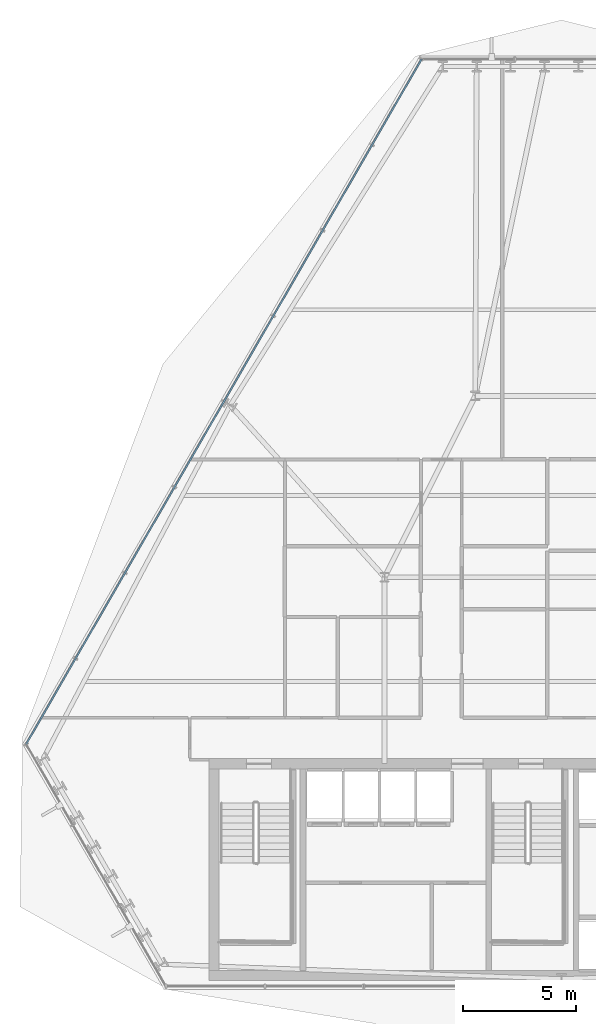
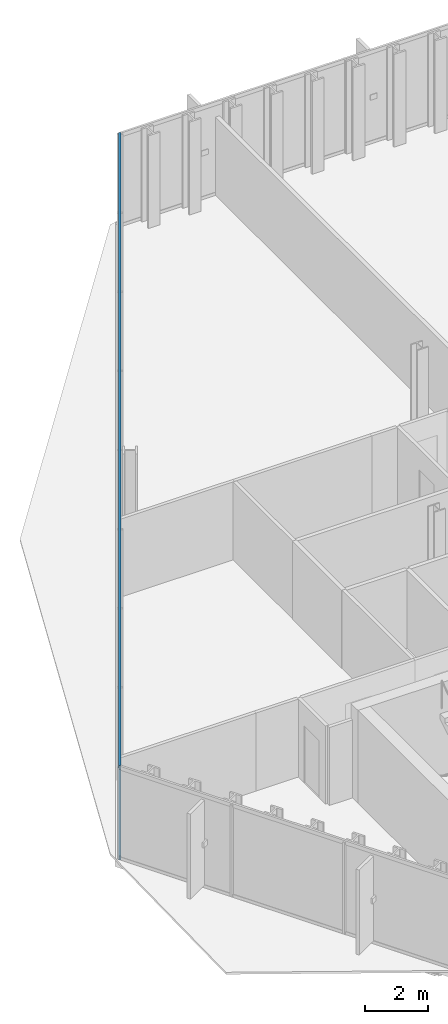
# One storey, part 13 of 36: 2 members, 1 element without a shape of its own.
"""IFC4 building model written with IfcOpenShell, lengths in metres."""

from ifc_helpers import new_model, si_unit, direction, frame, origin, origin_2d, place, context, subcontext, project, spatial, hollow_rectangle, extrude, material, layer, layer_set, material_profile, profile_set, type_object, element, aggregate, save


model = new_model("IFC4")

# Units and contexts
model_context = context("Model", 3, precision=1e-05, world=origin(), true_north=direction((0.0, 1.0)))
body_context = subcontext(model_context, "Body", "Model", "MODEL_VIEW")
ifc_project = project(units=[si_unit("LENGTHUNIT", "METRE"), si_unit("AREAUNIT", "SQUARE_METRE"), si_unit("VOLUMEUNIT", "CUBIC_METRE"), si_unit("PLANEANGLEUNIT", "RADIAN"), si_unit("MASSUNIT", "GRAM", prefix="KILO")], contexts=[model_context])

# Site, building, storey
site_placement = place(None, origin())
site = spatial("IfcSite", under=ifc_project, at=site_placement, CompositionType="ELEMENT")
building_placement = place(site_placement, origin())
building = spatial("IfcBuilding", under=site, at=building_placement, Name="Ndaravel Arena Tower", CompositionType="ELEMENT")
storey_placement = place(building_placement, frame((0.0, 0.0, 127.0)))
storey = spatial("IfcBuildingStorey", under=building, at=storey_placement, Name="L29", CompositionType="ELEMENT", Elevation=127.0)

# Curtain wall, members
ifc_material_1 = material(Name="Aluminium", Category="aluminium")
ifc_layer = layer(ifc_material_1, 0.179931640625)
ifc_layer_set = layer_set([ifc_layer], Name="Aluminium")
curtain_wall_type = type_object("IfcCurtainWallType", Name="CW-SYS-03", PredefinedType="NOTDEFINED", material=ifc_layer_set)
curtain_wall_placement = place(storey_placement, origin())
curtain_wall = element("IfcCurtainWall", 1, at=curtain_wall_placement, inside=storey, type_object=curtain_wall_type, Name="L29 Faceted Crystal Curtain Wall CW-L29-E05", PredefinedType="NOTDEFINED")
ifc_material_2 = material(Name="Aluminium", Category="aluminium")
ifc_material_profile = material_profile(ifc_material_2, hollow_rectangle(XDim=0.074951171875, YDim=0.14990234375, WallThickness=0.00390625, at=origin_2d()), Name="CW TRANSOM 75x150x4")
ifc_profile_set = profile_set([ifc_material_profile], Name="Aluminium")
member_type = type_object("IfcMemberType", Name="MEM-CW-TRN150", PredefinedType="USERDEFINED", material=ifc_profile_set)
member_1_placement = place(storey_placement, frame((35.833251953125, 46.05615234375, 0.0400390625), z_axis=(-0.499997655819, -0.866026757194, 0.0), x_axis=(0.866026757194, -0.499997655819, 0.0)))
member_1 = element("IfcMember", 2, at=member_1_placement, type_object=member_type, Name="CW-L29-E05 Transom 01", ObjectType="TRANSOM", PredefinedType="USERDEFINED", context=body_context, shape_type="SweptSolid", body=[
    extrude(hollow_rectangle(XDim=0.074951171875, YDim=0.14990234375, WallThickness=0.00390625, at=origin_2d()), origin(), (0.0, 0.0, 1.0), 34.889404296875),
])
member_2_placement = place(storey_placement, frame((35.833251953125, 46.05615234375, 3.5400390625), z_axis=(-0.499997655819, -0.866026757194, 0.0), x_axis=(0.866026757194, -0.499997655819, 0.0)))
member_2 = element("IfcMember", 3, at=member_2_placement, type_object=member_type, Name="CW-L29-E05 Transom 02", ObjectType="TRANSOM", PredefinedType="USERDEFINED", context=body_context, shape_type="SweptSolid", body=[
    extrude(hollow_rectangle(XDim=0.074951171875, YDim=0.14990234375, WallThickness=0.00390625, at=origin_2d()), origin(), (0.0, 0.0, 1.0), 34.889404296875),
])
aggregate(curtain_wall, [member_1, member_2])

save(model, "model.ifc")
